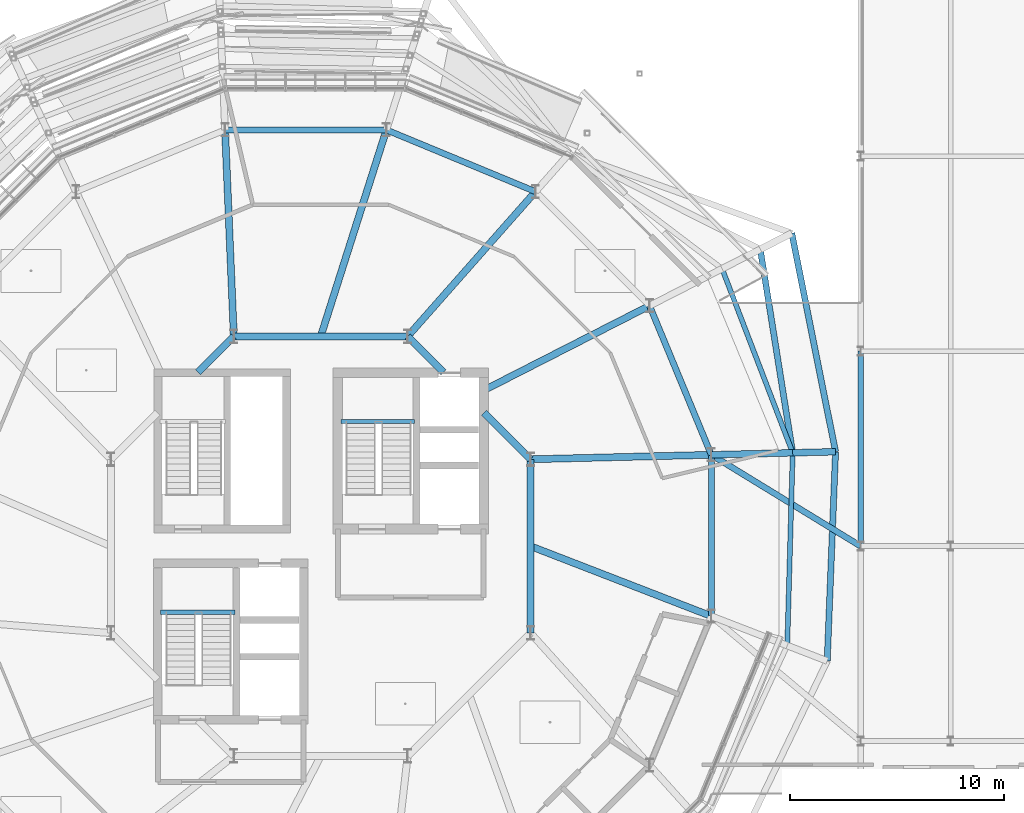
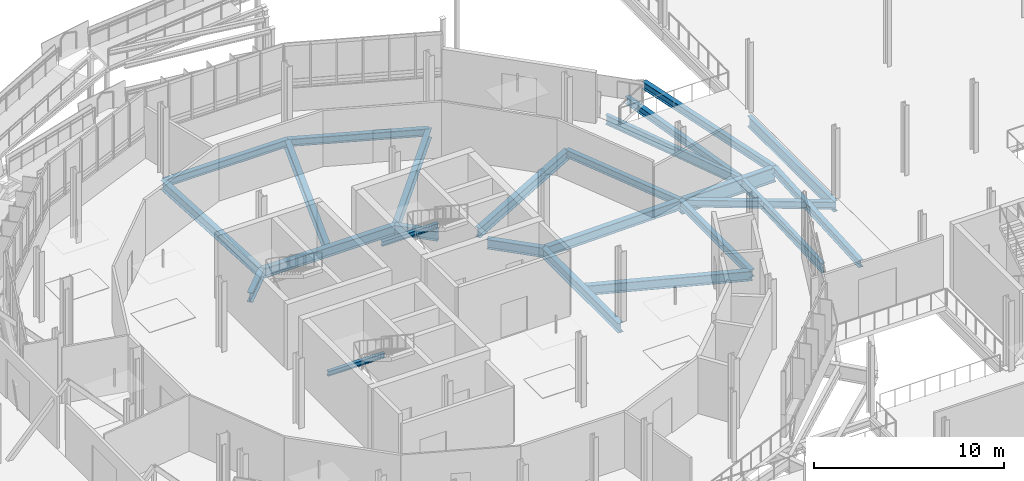
# One storey, part 55 of 139: 26 beams.
"""IFC4 building model written with IfcOpenShell, lengths in metres."""

from ifc_helpers import new_model, si_unit, derived_unit, direction, frame, origin, origin_2d, place, context, subcontext, project, spatial, i_section, extrude, material, material_profile, profile_set, type_object, element, save


model = new_model("IFC4")

# Units and contexts
model_context = context("Model", 3, precision=1e-05, world=origin(), true_north=direction((0.0, 1.0)))
body_context = subcontext(model_context, "Body", "Model", "MODEL_VIEW")
ifc_project = project(units=[si_unit("LENGTHUNIT", "METRE"), si_unit("AREAUNIT", "SQUARE_METRE"), si_unit("VOLUMEUNIT", "CUBIC_METRE"), si_unit("PLANEANGLEUNIT", "RADIAN"), si_unit("MASSUNIT", "GRAM", prefix="KILO"), derived_unit("THERMALTRANSMITTANCEUNIT", [(si_unit("MASSUNIT", "GRAM", prefix="KILO"), 1), (si_unit("TIMEUNIT", "SECOND"), -3), (si_unit("THERMODYNAMICTEMPERATUREUNIT", "KELVIN"), -1)])], contexts=[model_context])

# Site, building, storey
site_placement = place(None, origin())
site = spatial("IfcSite", under=ifc_project, at=site_placement, CompositionType="ELEMENT")
building_placement = place(site_placement, origin())
building = spatial("IfcBuilding", under=site, at=building_placement, Name="Makaiwela Harbour Ferry Terminal", CompositionType="ELEMENT")
storey_placement = place(building_placement, frame((0.0, 0.0, 5.10009765625)))
storey = spatial("IfcBuildingStorey", under=building, at=storey_placement, Name="L01", CompositionType="ELEMENT", Elevation=5.10009765625)

# Beams
ifc_material = material(Name="Steel ASTM A992 Grade 50", Category="steel")
ifc_material_profile_1 = material_profile(ifc_material, i_section(OverallWidth=0.280029296875, OverallDepth=0.462890625, WebThickness=0.0107421875, FlangeThickness=0.017333984375, at=origin_2d()), Name="W18X76")
ifc_profile_set_1 = profile_set([ifc_material_profile_1], Name="Steel ASTM A992 Grade 50")
beam_type_1 = type_object("IfcBeamType", Name="STR-BM-W18X76", PredefinedType="BEAM", material=ifc_profile_set_1)
beam_1_placement = place(storey_placement, frame((59.827880859375, 71.959228515625, -0.51171875), z_axis=(-0.157406457436, 0.987533901776, 0.0), x_axis=(-0.987533901776, -0.157406457436, 0.0)))
element("IfcBeam", 1, at=beam_1_placement, inside=storey, type_object=beam_type_1, Name="Drum stage2 tie girder 79", PredefinedType="BEAM", context=body_context, shape_type="SweptSolid", body=[
    extrude(i_section(OverallWidth=0.280029296875, OverallDepth=0.462890625, WebThickness=0.0107421875, FlangeThickness=0.017333984375, at=origin_2d()), origin(), (0.0, 0.0, 1.0), 9.619384765625),
])
beam_2_placement = place(storey_placement, frame((56.029296875, 71.865234375, -0.51171875), z_axis=(0.852995171969, -0.521918802686, 0.0), x_axis=(0.521918802686, 0.852995171969, 0.0)))
element("IfcBeam", 2, at=beam_2_placement, inside=storey, type_object=beam_type_1, Name="Neck tie beam 117", PredefinedType="BEAM", context=body_context, shape_type="SweptSolid", body=[
    extrude(i_section(OverallWidth=0.280029296875, OverallDepth=0.462890625, WebThickness=0.0107421875, FlangeThickness=0.017333984375, at=origin_2d()), origin(), (0.0, 0.0, 1.0), 8.172119140625),
])
ifc_material_profile_2 = material_profile(ifc_material, i_section(OverallWidth=0.324951171875, OverallDepth=0.615966796875, WebThickness=0.013916015625, FlangeThickness=0.021484375, at=origin_2d()), Name="W24X117")
ifc_profile_set_2 = profile_set([ifc_material_profile_2], Name="Steel ASTM A992 Grade 50")
beam_type_2 = type_object("IfcBeamType", Name="STR-GRD-W24X117", PredefinedType="USERDEFINED", material=ifc_profile_set_2)
beam_3_placement = place(storey_placement, frame((47.593017578125, 71.656494140625, -0.588134765625), z_axis=(-0.707106781187, 0.707106781187, 0.0), x_axis=(-0.707106781187, -0.707106781187, 0.0)))
element("IfcBeam", 3, at=beam_3_placement, inside=storey, type_object=beam_type_2, Name="Drum inner ring girder 1", ObjectType="GIRDER", PredefinedType="USERDEFINED", context=body_context, shape_type="SweptSolid", body=[
    extrude(i_section(OverallWidth=0.324951171875, OverallDepth=0.615966796875, WebThickness=0.013916015625, FlangeThickness=0.021484375, at=origin_2d()), origin(), (0.0, 0.0, 1.0), 3.0732421875),
])
beam_4_placement = place(storey_placement, frame((43.529541015625, 75.719970703125, -0.588134765625), z_axis=(-0.707106781187, 0.707106781187, 0.0), x_axis=(-0.707106781187, -0.707106781187, 0.0)))
element("IfcBeam", 4, at=beam_4_placement, inside=storey, type_object=beam_type_2, Name="Drum inner ring girder 2", ObjectType="GIRDER", PredefinedType="USERDEFINED", context=body_context, shape_type="SweptSolid", body=[
    extrude(i_section(OverallWidth=0.324951171875, OverallDepth=0.615966796875, WebThickness=0.013916015625, FlangeThickness=0.021484375, at=origin_2d()), origin(), (0.0, 0.0, 1.0), 2.3662109375),
])
beam_5_placement = place(storey_placement, frame((41.8564453125, 77.39306640625, -0.588134765625), z_axis=(-1.0, 0.0, 0.0), x_axis=(0.0, -1.0, 0.0)))
element("IfcBeam", 5, at=beam_5_placement, inside=storey, type_object=beam_type_2, Name="Drum inner ring girder 3", ObjectType="GIRDER", PredefinedType="USERDEFINED", context=body_context, shape_type="SweptSolid", body=[
    extrude(i_section(OverallWidth=0.324951171875, OverallDepth=0.615966796875, WebThickness=0.013916015625, FlangeThickness=0.021484375, at=origin_2d()), origin(), (0.0, 0.0, 1.0), 8.11279296875),
])
beam_6_placement = place(storey_placement, frame((33.74365234375, 77.39306640625, -0.588134765625), z_axis=(-0.707106781187, -0.707106781187, 0.0), x_axis=(0.707106781187, -0.707106781187, 0.0)))
element("IfcBeam", 6, at=beam_6_placement, inside=storey, type_object=beam_type_2, Name="Drum inner ring girder 4", ObjectType="GIRDER", PredefinedType="USERDEFINED", context=body_context, shape_type="SweptSolid", body=[
    extrude(i_section(OverallWidth=0.324951171875, OverallDepth=0.615966796875, WebThickness=0.013916015625, FlangeThickness=0.021484375, at=origin_2d()), origin(), (0.0, 0.0, 1.0), 2.3662109375),
])
beam_7_placement = place(storey_placement, frame((47.593017578125, 63.543701171875, -0.588134765625), z_axis=(0.0, 1.0, 0.0), x_axis=(-1.0, 0.0, 0.0)))
element("IfcBeam", 7, at=beam_7_placement, inside=storey, type_object=beam_type_2, Name="Drum inner ring girder 11", ObjectType="GIRDER", PredefinedType="USERDEFINED", context=body_context, shape_type="SweptSolid", body=[
    extrude(i_section(OverallWidth=0.324951171875, OverallDepth=0.615966796875, WebThickness=0.013916015625, FlangeThickness=0.021484375, at=origin_2d()), origin(), (0.0, 0.0, 1.0), 8.11279296875),
])
beam_8_placement = place(storey_placement, frame((47.593017578125, 71.656494140625, -0.588134765625), z_axis=(0.999694028426, 0.024735592369, 0.0), x_axis=(-0.024735592369, 0.999694028426, 0.0)))
element("IfcBeam", 8, at=beam_8_placement, inside=storey, type_object=beam_type_2, Name="Drum radial girder 28", ObjectType="GIRDER", PredefinedType="USERDEFINED", context=body_context, shape_type="SweptSolid", body=[
    extrude(i_section(OverallWidth=0.324951171875, OverallDepth=0.615966796875, WebThickness=0.013916015625, FlangeThickness=0.021484375, at=origin_2d()), origin(), (0.0, 0.0, 1.0), 8.43896484375),
])
beam_9_placement = place(storey_placement, frame((45.43994140625, 74.8896484375, -0.588134765625), z_axis=(0.890740656369, 0.454511917436, 0.0), x_axis=(-0.454511917436, 0.890740656369, 0.0)))
element("IfcBeam", 9, at=beam_9_placement, inside=storey, type_object=beam_type_2, Name="Drum radial girder 31", ObjectType="GIRDER", PredefinedType="USERDEFINED", context=body_context, shape_type="SweptSolid", body=[
    extrude(i_section(OverallWidth=0.324951171875, OverallDepth=0.615966796875, WebThickness=0.013916015625, FlangeThickness=0.021484375, at=origin_2d()), origin(), (0.0, 0.0, 1.0), 8.65283203125),
])
beam_10_placement = place(storey_placement, frame((41.8564453125, 77.39306640625, -0.588134765625), z_axis=(0.662014887938, 0.749490685832, 0.0), x_axis=(-0.749490685832, 0.662014887938, 0.0)))
element("IfcBeam", 10, at=beam_10_placement, inside=storey, type_object=beam_type_2, Name="Drum radial girder 35", ObjectType="GIRDER", PredefinedType="USERDEFINED", context=body_context, shape_type="SweptSolid", body=[
    extrude(i_section(OverallWidth=0.324951171875, OverallDepth=0.615966796875, WebThickness=0.013916015625, FlangeThickness=0.021484375, at=origin_2d()), origin(), (0.0, 0.0, 1.0), 9.011962890625),
])
beam_11_placement = place(storey_placement, frame((37.800048828125, 77.39306640625, -0.588134765625), z_axis=(0.303123932236, 0.952951143399, 0.0), x_axis=(-0.952951143399, 0.303123932236, 0.0)))
element("IfcBeam", 11, at=beam_11_placement, inside=storey, type_object=beam_type_2, Name="Drum radial girder 37", ObjectType="GIRDER", PredefinedType="USERDEFINED", context=body_context, shape_type="SweptSolid", body=[
    extrude(i_section(OverallWidth=0.324951171875, OverallDepth=0.615966796875, WebThickness=0.013916015625, FlangeThickness=0.021484375, at=origin_2d()), origin(), (0.0, 0.0, 1.0), 10.112060546875),
])
beam_12_placement = place(storey_placement, frame((33.74365234375, 77.39306640625, -0.588134765625), z_axis=(-0.042399132515, 0.999100752458, 0.0), x_axis=(-0.999100752458, -0.042399132515, 0.0)))
element("IfcBeam", 12, at=beam_12_placement, inside=storey, type_object=beam_type_2, Name="Drum radial girder 41", ObjectType="GIRDER", PredefinedType="USERDEFINED", context=body_context, shape_type="SweptSolid", body=[
    extrude(i_section(OverallWidth=0.324951171875, OverallDepth=0.615966796875, WebThickness=0.013916015625, FlangeThickness=0.021484375, at=origin_2d()), origin(), (0.0, 0.0, 1.0), 9.64501953125),
])
beam_13_placement = place(storey_placement, frame((47.593017578125, 67.60009765625, -0.588134765625), z_axis=(0.932578355868, -0.360967602655, 0.0), x_axis=(0.360967602655, 0.932578355868, 0.0)))
element("IfcBeam", 13, at=beam_13_placement, inside=storey, type_object=beam_type_2, Name="Drum radial girder 75", ObjectType="GIRDER", PredefinedType="USERDEFINED", context=body_context, shape_type="SweptSolid", body=[
    extrude(i_section(OverallWidth=0.324951171875, OverallDepth=0.615966796875, WebThickness=0.013916015625, FlangeThickness=0.021484375, at=origin_2d()), origin(), (0.0, 0.0, 1.0), 9.046142578125),
])
ifc_material_profile_3 = material_profile(ifc_material, i_section(OverallWidth=0.22900390625, OverallDepth=0.612060546875, WebThickness=0.011962890625, FlangeThickness=0.01953125, at=origin_2d()), Name="W24X84")
ifc_profile_set_3 = profile_set([ifc_material_profile_3], Name="Steel ASTM A992 Grade 50")
beam_type_3 = type_object("IfcBeamType", Name="STR-GRD-W24X84", PredefinedType="USERDEFINED", material=ifc_profile_set_3)
beam_14_placement = place(storey_placement, frame((59.827880859375, 71.959228515625, -0.586181640625), z_axis=(-0.358191255304, 0.933648233878, 0.0), x_axis=(-0.933648233878, -0.358191255304, 0.0)))
element("IfcBeam", 14, at=beam_14_placement, inside=storey, type_object=beam_type_3, Name="Drum overhang tie girder 78", ObjectType="GIRDER", PredefinedType="USERDEFINED", context=body_context, shape_type="SweptSolid", body=[
    extrude(i_section(OverallWidth=0.22900390625, OverallDepth=0.612060546875, WebThickness=0.011962890625, FlangeThickness=0.01953125, at=origin_2d()), origin(), (0.0, 0.0, 1.0), 9.200927734375),
])
beam_15_placement = place(storey_placement, frame((59.572998046875, 62.963134765625, -0.586181640625), z_axis=(0.028321244668, 0.999598873099, 0.0), x_axis=(-0.999598873099, 0.028321244668, 0.0)))
element("IfcBeam", 15, at=beam_15_placement, inside=storey, type_object=beam_type_3, Name="Drum overhang tie girder 102", ObjectType="GIRDER", PredefinedType="USERDEFINED", context=body_context, shape_type="SweptSolid", body=[
    extrude(i_section(OverallWidth=0.22900390625, OverallDepth=0.612060546875, WebThickness=0.011962890625, FlangeThickness=0.01953125, at=origin_2d()), origin(), (0.0, 0.0, 1.0), 8.999755859375),
])
ifc_material_profile_4 = material_profile(ifc_material, i_section(OverallWidth=0.256103515625, OverallDepth=0.693115234375, WebThickness=0.014404296875, FlangeThickness=0.023681640625, at=origin_2d()), Name="W27X114")
ifc_profile_set_4 = profile_set([ifc_material_profile_4], Name="Steel ASTM A992 Grade 50")
beam_type_4 = type_object("IfcBeamType", Name="STR-GRD-W27X114", PredefinedType="USERDEFINED", material=ifc_profile_set_4)
beam_16_placement = place(storey_placement, frame((63.0, 67.60009765625, -0.626708984375), z_axis=(0.0, 1.0, 0.0), x_axis=(-1.0, 0.0, 0.0)))
element("IfcBeam", 16, at=beam_16_placement, inside=storey, type_object=beam_type_4, Name="Primary Y girder 930", ObjectType="GIRDER", PredefinedType="USERDEFINED", context=body_context, shape_type="SweptSolid", body=[
    extrude(i_section(OverallWidth=0.256103515625, OverallDepth=0.693115234375, WebThickness=0.014404296875, FlangeThickness=0.023681640625, at=origin_2d()), origin(), (0.0, 0.0, 1.0), 9.099853515625),
])
ifc_material_profile_5 = material_profile(ifc_material, i_section(OverallWidth=0.31005859375, OverallDepth=0.949951171875, WebThickness=0.0244140625, FlangeThickness=0.0439453125, at=origin_2d()), Name="W36X256")
ifc_profile_set_5 = profile_set([ifc_material_profile_5], Name="Steel ASTM A992 Grade 50")
beam_type_5 = type_object("IfcBeamType", Name="STR-GRD-W36X256", PredefinedType="USERDEFINED", material=ifc_profile_set_5)
beam_17_placement = place(storey_placement, frame((56.029296875, 71.865234375, -0.755126953125), z_axis=(0.99969399486, 0.024736948906, 0.0), x_axis=(-0.024736948906, 0.99969399486, 0.0)))
element("IfcBeam", 17, at=beam_17_placement, inside=storey, type_object=beam_type_5, Name="Drum radial overhang 29", ObjectType="GIRDER", PredefinedType="USERDEFINED", context=body_context, shape_type="SweptSolid", body=[
    extrude(i_section(OverallWidth=0.31005859375, OverallDepth=0.949951171875, WebThickness=0.0244140625, FlangeThickness=0.0439453125, at=origin_2d()), origin(), (0.0, 0.0, 1.0), 3.7998046875),
])
beam_18_placement = place(storey_placement, frame((59.827880859375, 71.959228515625, -0.755126953125), z_axis=(0.99969296052, 0.024778714406, 0.0), x_axis=(-0.024778714406, 0.99969296052, 0.0)))
element("IfcBeam", 18, at=beam_18_placement, inside=storey, type_object=beam_type_5, Name="Drum overhang radial girder 30", ObjectType="GIRDER", PredefinedType="USERDEFINED", context=body_context, shape_type="SweptSolid", body=[
    extrude(i_section(OverallWidth=0.31005859375, OverallDepth=0.949951171875, WebThickness=0.0244140625, FlangeThickness=0.0439453125, at=origin_2d()), origin(), (0.0, 0.0, 1.0), 2.000244140625),
])
ifc_material_profile_6 = material_profile(ifc_material, i_section(OverallWidth=0.205078125, OverallDepth=0.31005859375, WebThickness=0.009521484375, FlangeThickness=0.016357421875, at=origin_2d()), Name="W12X50")
ifc_profile_set_6 = profile_set([ifc_material_profile_6], Name="Steel ASTM A992 Grade 50")
beam_type_6 = type_object("IfcBeamType", Name="STR-LNT-W12X50", PredefinedType="LINTEL", material=ifc_profile_set_6)
beam_19_placement = place(storey_placement, frame((38.75, 73.419921875, 1.94482421875), z_axis=(1.0, 0.0, 0.0), x_axis=(0.0, 1.0, 0.0)))
element("IfcBeam", 19, at=beam_19_placement, inside=storey, type_object=beam_type_6, Name="Stair Landing Beam ST-01-L01", PredefinedType="LINTEL", context=body_context, shape_type="SweptSolid", body=[
    extrude(i_section(OverallWidth=0.205078125, OverallDepth=0.31005859375, WebThickness=0.009521484375, FlangeThickness=0.016357421875, at=origin_2d()), origin(), (0.0, 0.0, 1.0), 3.43701171875),
])
beam_20_placement = place(storey_placement, frame((30.324951171875, 64.52001953125, 1.94482421875), z_axis=(1.0, 0.0, 0.0), x_axis=(0.0, 1.0, 0.0)))
element("IfcBeam", 20, at=beam_20_placement, inside=storey, type_object=beam_type_6, Name="Stair Landing Beam ST-02-L01", PredefinedType="LINTEL", context=body_context, shape_type="SweptSolid", body=[
    extrude(i_section(OverallWidth=0.205078125, OverallDepth=0.31005859375, WebThickness=0.009521484375, FlangeThickness=0.016357421875, at=origin_2d()), origin(), (0.0, 0.0, 1.0), 3.462158203125),
])
ifc_material_profile_7 = material_profile(ifc_material, i_section(OverallWidth=0.283935546875, OverallDepth=0.47607421875, WebThickness=0.014892578125, FlangeThickness=0.02392578125, at=origin_2d()), Name="W18X106")
ifc_profile_set_7 = profile_set([ifc_material_profile_7], Name="Steel ASTM A992 Grade 50")
beam_type_7 = type_object("IfcBeamType", Name="STR-SPN-W18X106", PredefinedType="SPANDREL", material=ifc_profile_set_7)
for number, where, z_axis, x_axis, name in (
    (21, (56.029296875, 71.865234375, -0.51806640625), (-0.382687752376, 0.923877743092, 0.0), (-0.923877743092, -0.382687752376, 0.0), "Drum column ring girder 12"),
    (22, (47.822509765625, 84.1474609375, -0.51806640625), (-0.923877743092, 0.382687752376, 0.0), (-0.382687752376, -0.923877743092, 0.0), "Drum column ring girder 14"),
    (23, (40.865234375, 87.029296875, -0.51806640625), (-1.0, 0.0, 0.0), (0.0, -1.0, 0.0), "Drum column ring girder 15"),
    (24, (56.029296875, 64.334716796875, -0.51806640625), (0.0, 1.0, 0.0), (-1.0, 0.0, 0.0), "Drum column ring girder 27"),
):
    element("IfcBeam", number, at=place(storey_placement, frame(where, z_axis=z_axis, x_axis=x_axis)), inside=storey, type_object=beam_type_7, Name=name, PredefinedType="SPANDREL", context=body_context, shape_type="SweptSolid", body=[
        extrude(i_section(OverallWidth=0.283935546875, OverallDepth=0.47607421875, WebThickness=0.014892578125, FlangeThickness=0.02392578125, at=origin_2d()), origin(), (0.0, 0.0, 1.0), 7.530517578125),
    ])
beam_21_placement = place(storey_placement, frame((61.827392578125, 72.0087890625, -0.51806640625), z_axis=(-0.196486216307, 0.980506586822, 0.0), x_axis=(-0.980506586822, -0.196486216307, 0.0)))
element("IfcBeam", 25, at=beam_21_placement, inside=storey, type_object=beam_type_7, Name="Drum perimeter spandrel 103", PredefinedType="SPANDREL", context=body_context, shape_type="SweptSolid", body=[
    extrude(i_section(OverallWidth=0.283935546875, OverallDepth=0.47607421875, WebThickness=0.014892578125, FlangeThickness=0.02392578125, at=origin_2d()), origin(), (0.0, 0.0, 1.0), 10.402587890625),
])
beam_22_placement = place(storey_placement, frame((61.438232421875, 62.2412109375, -0.51806640625), z_axis=(0.039810446821, 0.999207249936, 0.0), x_axis=(-0.999207249936, 0.039810446821, 0.0)))
element("IfcBeam", 26, at=beam_22_placement, inside=storey, type_object=beam_type_7, Name="Drum perimeter spandrel 115", PredefinedType="SPANDREL", context=body_context, shape_type="SweptSolid", body=[
    extrude(i_section(OverallWidth=0.283935546875, OverallDepth=0.47607421875, WebThickness=0.014892578125, FlangeThickness=0.02392578125, at=origin_2d()), origin(), (0.0, 0.0, 1.0), 9.775390625),
])

save(model, "model.ifc")
